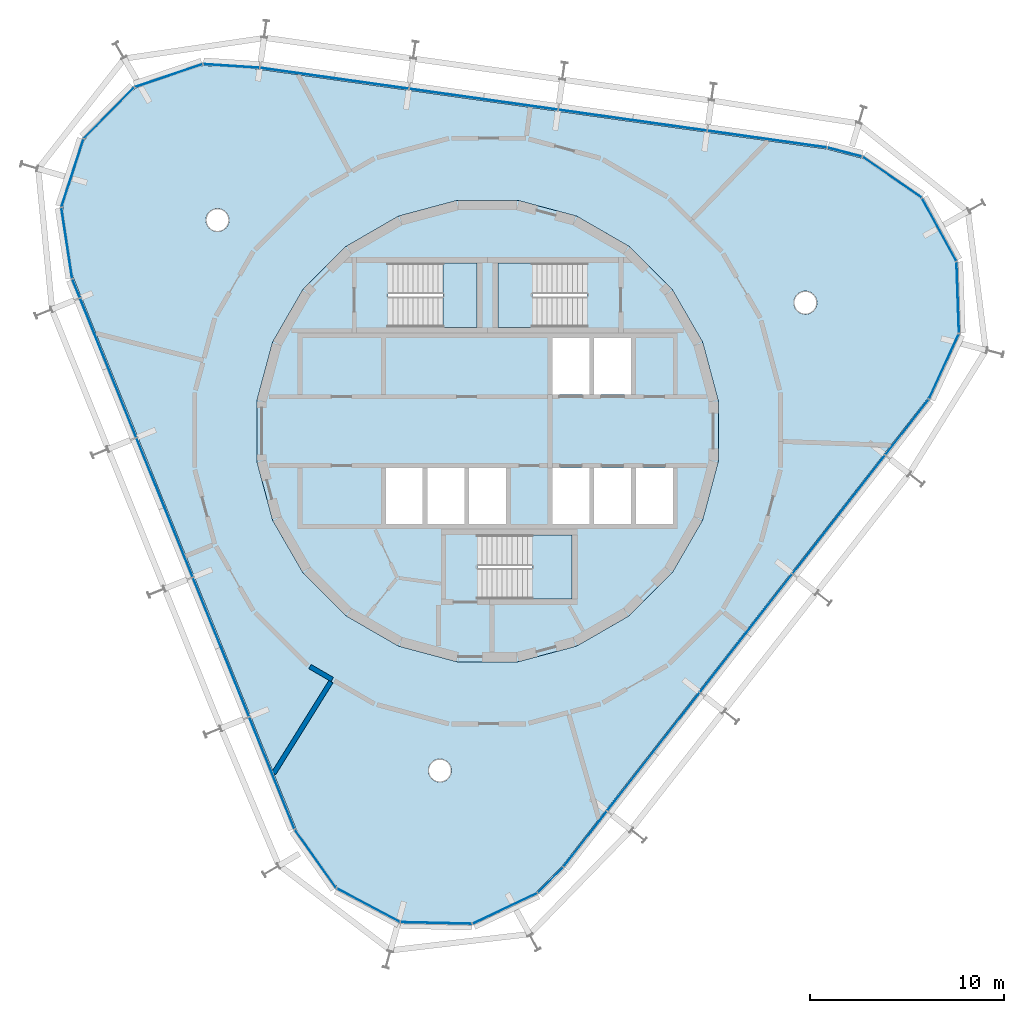
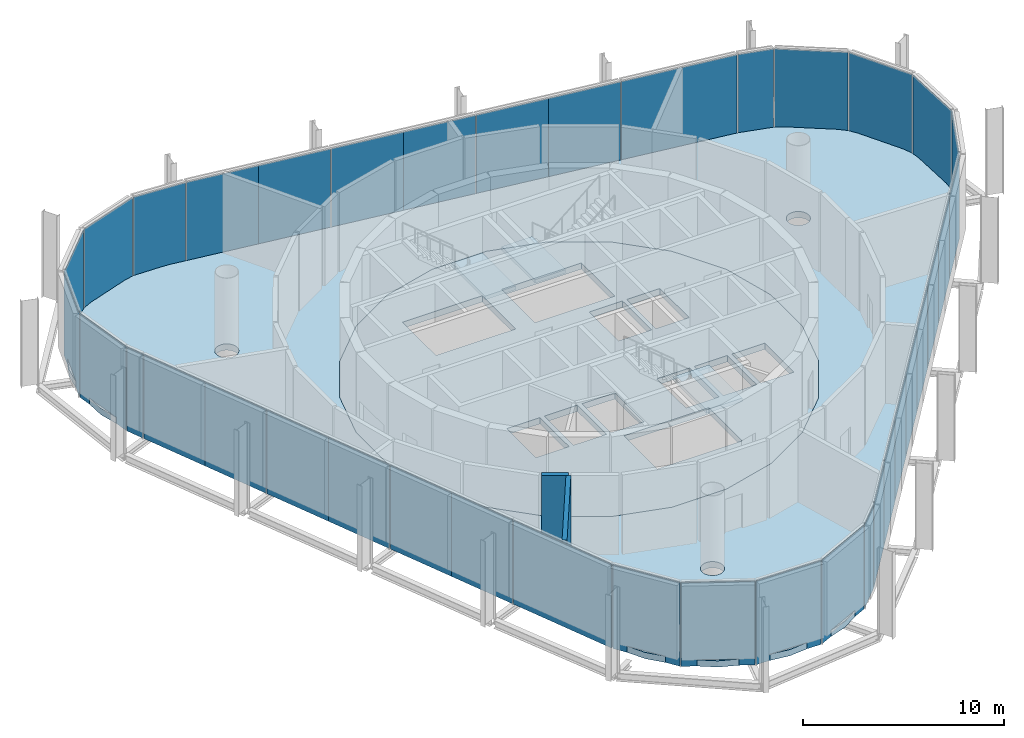
# One storey, part 8 of 12: 38 plates, 5 slabs, 2 walls, 9 elements without a shape of their own.
"""IFC4 building model written with IfcOpenShell, lengths in metres."""

from ifc_helpers import new_model, si_unit, direction, frame, frame_2d, origin, origin_2d, place, context, subcontext, project, spatial, polyline, rectangle, outline, extrude, material, layer, layer_set, type_object, element, aggregate, save


model = new_model("IFC4")

# Units and contexts
model_context = context("Model", 3, precision=1e-05, world=origin(), true_north=direction((0.0, 1.0)))
body_context = subcontext(model_context, "Body", "Model", "MODEL_VIEW")
ifc_project = project(units=[si_unit("LENGTHUNIT", "METRE"), si_unit("AREAUNIT", "SQUARE_METRE"), si_unit("VOLUMEUNIT", "CUBIC_METRE"), si_unit("PLANEANGLEUNIT", "RADIAN"), si_unit("MASSUNIT", "GRAM", prefix="KILO")], contexts=[model_context])

# Site, building, storey
site_placement = place(None, origin())
site = spatial("IfcSite", under=ifc_project, at=site_placement, CompositionType="ELEMENT")
building_placement = place(site_placement, origin())
building = spatial("IfcBuilding", under=site, at=building_placement, Name="Spindle Arch Residences", CompositionType="ELEMENT")
storey_placement = place(building_placement, frame((0.0, 0.0, 361.0)))
storey = spatial("IfcBuildingStorey", under=building, at=storey_placement, Name="L93", CompositionType="ELEMENT", Elevation=361.0)

# Slab
ifc_material_1 = material(Name="Concrete C50/60", Category="concrete")
ifc_layer_1 = layer(ifc_material_1, 0.3798828125)
ifc_layer_set_1 = layer_set([ifc_layer_1], Name="Core floor slab 380")
slab_type_1 = type_object("IfcSlabType", Name="Core floor slab 380", PredefinedType="FLOOR", material=ifc_layer_set_1)
slab_1_placement = place(storey_placement, frame((0.0, 0.0, -0.3798828125)))
element("IfcSlab", 1, at=slab_1_placement, inside=storey, type_object=slab_type_1, Name="Core floor L93", PredefinedType="FLOOR", context=body_context, shape_type="SweptSolid", body=[
    extrude(outline(polyline([(1.56640625, -11.897216796875), (4.59228515625, -11.086669921875), (7.30517578125, -9.520263671875), (9.520263671875, -7.30517578125), (11.086669921875, -4.59228515625), (11.897216796875, -1.56640625), (11.897216796875, 1.56640625), (11.086669921875, 4.59228515625), (9.520263671875, 7.30517578125), (7.30517578125, 9.520263671875), (4.59228515625, 11.086669921875), (1.56640625, 11.897216796875), (-1.56640625, 11.897216796875), (-4.59228515625, 11.086669921875), (-7.30517578125, 9.520263671875), (-9.520263671875, 7.30517578125), (-11.086669921875, 4.59228515625), (-11.897216796875, 1.56640625), (-11.897216796875, -1.56640625), (-11.086669921875, -4.59228515625), (-9.520263671875, -7.30517578125), (-7.30517578125, -9.520263671875), (-4.59228515625, -11.086669921875), (-1.56640625, -11.897216796875), (1.56640625, -11.897216796875)]), holes=[polyline([(3.35009765625, 1.89990234375), (5.25, 1.89990234375), (5.25, 4.800048828125), (3.35009765625, 4.800048828125), (3.35009765625, 1.89990234375)]), polyline([(5.5, 1.89990234375), (7.39990234375, 1.89990234375), (7.39990234375, 4.800048828125), (5.5, 4.800048828125), (5.5, 1.89990234375)]), polyline([(-5.25, -4.800048828125), (-3.35009765625, -4.800048828125), (-3.35009765625, -1.89990234375), (-5.25, -1.89990234375), (-5.25, -4.800048828125)]), polyline([(-3.10009765625, -4.800048828125), (-1.199951171875, -4.800048828125), (-1.199951171875, -1.89990234375), (-3.10009765625, -1.89990234375), (-3.10009765625, -4.800048828125)]), polyline([(-0.949951171875, -4.800048828125), (0.949951171875, -4.800048828125), (0.949951171875, -1.89990234375), (-0.949951171875, -1.89990234375), (-0.949951171875, -4.800048828125)]), polyline([(3.35009765625, -4.800048828125), (5.25, -4.800048828125), (5.25, -1.89990234375), (3.35009765625, -1.89990234375), (3.35009765625, -4.800048828125)]), polyline([(5.5, -4.800048828125), (7.39990234375, -4.800048828125), (7.39990234375, -1.89990234375), (5.5, -1.89990234375), (5.5, -4.800048828125)]), polyline([(7.64990234375, -4.800048828125), (9.550048828125, -4.800048828125), (9.550048828125, -1.89990234375), (7.64990234375, -1.89990234375), (7.64990234375, -4.800048828125)]), polyline([(5.1298828125, 8.669921875), (0.550048828125, 8.669921875), (0.550048828125, 5.35009765625), (5.1298828125, 5.35009765625), (5.1298828125, 8.669921875)]), polyline([(-5.1298828125, 5.35009765625), (-0.550048828125, 5.35009765625), (-0.550048828125, 8.669921875), (-5.1298828125, 8.669921875), (-5.1298828125, 5.35009765625)]), polyline([(-0.530029296875, -8.669921875), (4.35009765625, -8.669921875), (4.35009765625, -5.35009765625), (-0.530029296875, -5.35009765625), (-0.530029296875, -8.669921875)])]), origin(), (0.0, 0.0, 1.0), 0.3798828125),
])

# Stair, slab
ifc_material_2 = material(Name="Concrete C50/60", Category="concrete")
stair_type = type_object("IfcStairType", Name="Exit stair 24 risers", PredefinedType="HALF_TURN_STAIR", material=ifc_material_2)
stair_1_placement = place(storey_placement, origin())
stair_1 = element("IfcStair", 2, at=stair_1_placement, inside=storey, type_object=stair_type, Name="L93 Exit stair ST1", PredefinedType="HALF_TURN_STAIR")
ifc_material_3 = material(Name="Concrete C50/60", Category="concrete")
ifc_layer_2 = layer(ifc_material_3, 0.219970703125)
ifc_layer_set_2 = layer_set([ifc_layer_2], Name="Exit stair landing 220")
slab_type_2 = type_object("IfcSlabType", Name="Exit stair landing 220", PredefinedType="LANDING", material=ifc_layer_set_2)
slab_2_placement = place(storey_placement, frame((0.0, 0.0, 2.3798828125)))
slab_2 = element("IfcSlab", 3, at=slab_2_placement, type_object=slab_type_2, Name="ST1 landing 1", PredefinedType="LANDING", context=body_context, shape_type="SweptSolid", body=[
    extrude(outline(polyline([(2.31005859375, 8.669921875), (0.550048828125, 8.669921875), (0.550048828125, 5.35009765625), (2.31005859375, 5.35009765625), (2.31005859375, 8.669921875)])), origin(), (0.0, 0.0, 1.0), 0.22021484375),
])
aggregate(stair_1, [slab_2])

stair_2_placement = place(storey_placement, origin())
stair_2 = element("IfcStair", 4, at=stair_2_placement, inside=storey, type_object=stair_type, Name="L93 Exit stair ST2", PredefinedType="HALF_TURN_STAIR")
slab_3_placement = place(storey_placement, frame((0.0, 0.0, 2.3798828125)))
slab_3 = element("IfcSlab", 5, at=slab_3_placement, type_object=slab_type_2, Name="ST2 landing 1", PredefinedType="LANDING", context=body_context, shape_type="SweptSolid", body=[
    extrude(outline(polyline([(-2.31005859375, 5.35009765625), (-0.550048828125, 5.35009765625), (-0.550048828125, 8.669921875), (-2.31005859375, 8.669921875), (-2.31005859375, 5.35009765625)])), origin(), (0.0, 0.0, 1.0), 0.22021484375),
])
aggregate(stair_2, [slab_3])

stair_3_placement = place(storey_placement, origin())
stair_3 = element("IfcStair", 6, at=stair_3_placement, inside=storey, type_object=stair_type, Name="L93 Exit stair ST3", PredefinedType="HALF_TURN_STAIR")
slab_4_placement = place(storey_placement, frame((0.0, 0.0, 2.3798828125)))
slab_4 = element("IfcSlab", 7, at=slab_4_placement, type_object=slab_type_2, Name="ST3 landing 1", PredefinedType="LANDING", context=body_context, shape_type="SweptSolid", body=[
    extrude(outline(polyline([(2.2900390625, -8.669921875), (4.35009765625, -8.669921875), (4.35009765625, -5.35009765625), (2.2900390625, -5.35009765625), (2.2900390625, -8.669921875)])), origin(), (0.0, 0.0, 1.0), 0.22021484375),
])
aggregate(stair_3, [slab_4])

# Slab
ifc_material_4 = material(Name="Concrete C40/50", Category="concrete")
ifc_layer_3 = layer(ifc_material_4, 0.3798828125)
ifc_layer_set_3 = layer_set([ifc_layer_3], Name="Floor slab 380")
slab_type_3 = type_object("IfcSlabType", Name="Floor slab 380", PredefinedType="FLOOR", material=ifc_layer_set_3)
slab_5_placement = place(storey_placement, frame((0.0, 0.0, -0.3798828125)))
element("IfcSlab", 8, at=slab_5_placement, inside=storey, type_object=slab_type_3, Name="Floor slab L93", PredefinedType="FLOOR", context=body_context, shape_type="SweptSolid", body=[
    extrude(outline(polyline([(2.5380859375, -23.751220703125), (0.962890625, -24.735595703125), (-0.796875, -25.330078125), (-2.646240234375, -25.502685546875), (-4.485595703125, -25.244140625), (-6.2158203125, -24.568359375), (-7.74365234375, -23.511962890625), (-8.986572265625, -22.131591796875), (-9.877685546875, -20.501708984375), (-21.346923828125, 7.885986328125), (-21.838134765625, 9.677490234375), (-21.903076171875, 11.53369140625), (-21.5380859375, 13.35498046875), (-20.7626953125, 15.043212890625), (-19.619140625, 16.5068359375), (-18.1689453125, 17.667236328125), (-16.489990234375, 18.462158203125), (-14.673095703125, 18.848388671875), (-12.816162109375, 18.80517578125), (17.503173828125, 14.5439453125), (19.300048828125, 14.07373046875), (20.940185546875, 13.20166015625), (22.334716796875, 11.974853515625), (23.4091796875, 10.459716796875), (24.10498046875, 8.7373046875), (24.384765625, 6.901123046875), (24.233642578125, 5.0498046875), (23.65966796875, 3.283203125), (22.69384765625, 1.696533203125), (13.268798828125, -10.36669921875), (3.843994140625, -22.43017578125), (2.5380859375, -23.751220703125)]), holes=[polyline([(7.30517578125, -9.520263671875), (9.520263671875, -7.30517578125), (11.086669921875, -4.59228515625), (11.897216796875, -1.56640625), (11.897216796875, 1.56640625), (11.086669921875, 4.59228515625), (9.520263671875, 7.30517578125), (7.30517578125, 9.520263671875), (4.59228515625, 11.086669921875), (1.56640625, 11.897216796875), (-1.56640625, 11.897216796875), (-4.59228515625, 11.086669921875), (-7.30517578125, 9.520263671875), (-9.520263671875, 7.30517578125), (-11.086669921875, 4.59228515625), (-11.897216796875, 1.56640625), (-11.897216796875, -1.56640625), (-11.086669921875, -4.59228515625), (-9.520263671875, -7.30517578125), (-7.30517578125, -9.520263671875), (-4.59228515625, -11.086669921875), (-1.56640625, -11.897216796875), (1.56640625, -11.897216796875), (4.59228515625, -11.086669921875), (7.30517578125, -9.520263671875)]), polyline([(-1.961181640625, -17.838134765625), (-1.90576171875, -17.734375), (-1.87158203125, -17.621826171875), (-1.860107421875, -17.5048828125), (-1.87158203125, -17.3876953125), (-1.90576171875, -17.275146484375), (-1.961181640625, -17.17138671875), (-2.035888671875, -17.08056640625), (-2.126708984375, -17.005859375), (-2.23046875, -16.950439453125), (-2.343017578125, -16.916259765625), (-2.460205078125, -16.90478515625), (-2.5771484375, -16.916259765625), (-2.689697265625, -16.950439453125), (-2.79345703125, -17.005859375), (-2.884521484375, -17.08056640625), (-2.958984375, -17.17138671875), (-3.014404296875, -17.275146484375), (-3.048583984375, -17.3876953125), (-3.06005859375, -17.5048828125), (-3.048583984375, -17.621826171875), (-3.014404296875, -17.734375), (-2.958984375, -17.838134765625), (-2.884521484375, -17.92919921875), (-2.79345703125, -18.003662109375), (-2.689697265625, -18.05908203125), (-2.5771484375, -18.09326171875), (-2.460205078125, -18.104736328125), (-2.343017578125, -18.09326171875), (-2.23046875, -18.05908203125), (-2.126708984375, -18.003662109375), (-2.035888671875, -17.92919921875), (-1.961181640625, -17.838134765625)]), polyline([(-13.505126953125, 10.458740234375), (-13.4306640625, 10.5498046875), (-13.375244140625, 10.6533203125), (-13.341064453125, 10.765869140625), (-13.32958984375, 10.883056640625), (-13.341064453125, 11.0), (-13.375244140625, 11.112548828125), (-13.4306640625, 11.21630859375), (-13.505126953125, 11.307373046875), (-13.59619140625, 11.3818359375), (-13.699951171875, 11.437255859375), (-13.8125, 11.471435546875), (-13.929443359375, 11.48291015625), (-14.046630859375, 11.471435546875), (-14.1591796875, 11.437255859375), (-14.2626953125, 11.3818359375), (-14.353759765625, 11.307373046875), (-14.428466796875, 11.21630859375), (-14.48388671875, 11.112548828125), (-14.51806640625, 11.0), (-14.529541015625, 10.883056640625), (-14.51806640625, 10.765869140625), (-14.48388671875, 10.6533203125), (-14.428466796875, 10.5498046875), (-14.353759765625, 10.458740234375), (-14.2626953125, 10.384033203125), (-14.1591796875, 10.32861328125), (-14.046630859375, 10.29443359375), (-13.929443359375, 10.282958984375), (-13.8125, 10.29443359375), (-13.699951171875, 10.32861328125), (-13.59619140625, 10.384033203125), (-13.505126953125, 10.458740234375)]), polyline([(16.81396484375, 6.197509765625), (16.888671875, 6.28857421875), (16.944091796875, 6.392333984375), (16.978271484375, 6.5048828125), (16.98974609375, 6.621826171875), (16.978271484375, 6.739013671875), (16.944091796875, 6.8515625), (16.888671875, 6.955078125), (16.81396484375, 7.046142578125), (16.722900390625, 7.120849609375), (16.619384765625, 7.17626953125), (16.5068359375, 7.21044921875), (16.3896484375, 7.221923828125), (16.272705078125, 7.21044921875), (16.16015625, 7.17626953125), (16.056396484375, 7.120849609375), (15.96533203125, 7.046142578125), (15.890869140625, 6.955078125), (15.83544921875, 6.8515625), (15.80126953125, 6.739013671875), (15.789794921875, 6.621826171875), (15.80126953125, 6.5048828125), (15.83544921875, 6.392333984375), (15.890869140625, 6.28857421875), (15.96533203125, 6.197509765625), (16.056396484375, 6.123046875), (16.16015625, 6.067626953125), (16.272705078125, 6.033447265625), (16.3896484375, 6.02197265625), (16.5068359375, 6.033447265625), (16.619384765625, 6.067626953125), (16.722900390625, 6.123046875), (16.81396484375, 6.197509765625)])]), origin(), (0.0, 0.0, 1.0), 0.3798828125),
])

# Curtain wall, plates
ifc_material_5 = material(Name="Aluminium bronze unitised frame with tinted glass", Category="aluminium")
ifc_layer_4 = layer(ifc_material_5, 0.159912109375)
ifc_layer_set_4 = layer_set([ifc_layer_4], Name="CW-F crown plant glazed wall")
curtain_wall_type = type_object("IfcCurtainWallType", Name="CW-F crown plant glazed wall", PredefinedType="NOTDEFINED", material=ifc_layer_set_4)
curtain_wall_1_placement = place(storey_placement, origin())
curtain_wall_1 = element("IfcCurtainWall", 9, at=curtain_wall_1_placement, inside=storey, type_object=curtain_wall_type, Name="CW-F L93 run 1", PredefinedType="NOTDEFINED")
ifc_material_6 = material(Name="Tinted laminated glass 28 mm", Category="glass")
ifc_layer_5 = layer(ifc_material_6, 0.028076171875)
ifc_layer_set_5 = layer_set([ifc_layer_5], Name="Tinted glass panel 28 mm")
plate_type = type_object("IfcPlateType", Name="Tinted glass panel 28 mm", PredefinedType="CURTAIN_PANEL", material=ifc_layer_set_5)
plate_1_placement = place(storey_placement, frame((21.630126953125, 0.205078125, -0.380126953125), z_axis=(0.0, 0.0, 1.0), x_axis=(0.615661475326, 0.788010753607, 0.0)))
plate_1 = element("IfcPlate", 10, at=plate_1_placement, type_object=plate_type, Name="CW-F unit 00", PredefinedType="CURTAIN_PANEL", context=body_context, shape_type="SweptSolid", body=[
    extrude(rectangle(XDim=3.60009765625, YDim=0.028076171875, at=origin_2d()), origin(), (0.0, 0.0, 1.0), 5.080078125),
])
plate_2_placement = place(storey_placement, frame((23.534423828125, 3.340576171875, -0.380126953125), z_axis=(0.0, 0.0, 1.0), x_axis=(0.417338452362, 0.908751129947, 0.0)))
plate_2 = element("IfcPlate", 11, at=plate_2_placement, type_object=plate_type, Name="CW-F unit 01", PredefinedType="CURTAIN_PANEL", context=body_context, shape_type="SweptSolid", body=[
    extrude(rectangle(XDim=3.666748046875, YDim=0.028076171875, at=origin_2d()), origin(), (0.0, 0.0, 1.0), 5.080078125),
])
plate_3_placement = place(storey_placement, frame((24.2470703125, 6.896240234375, -0.380126953125), z_axis=(0.0, 0.0, 1.0), x_axis=(-0.034899497139, 0.999390827004, 0.0)))
plate_3 = element("IfcPlate", 12, at=plate_3_placement, type_object=plate_type, Name="CW-F unit 02", PredefinedType="CURTAIN_PANEL", context=body_context, shape_type="SweptSolid", body=[
    extrude(rectangle(XDim=3.666748046875, YDim=0.028076171875, at=origin_2d()), origin(), (0.0, 0.0, 1.0), 5.080078125),
])
plate_4_placement = place(storey_placement, frame((23.2880859375, 10.3935546875, -0.380126953125), z_axis=(0.0, 0.0, 1.0), x_axis=(-0.479713114021, 0.877425397533, 0.0)))
plate_4 = element("IfcPlate", 13, at=plate_4_placement, type_object=plate_type, Name="CW-F unit 03", PredefinedType="CURTAIN_PANEL", context=body_context, shape_type="SweptSolid", body=[
    extrude(rectangle(XDim=3.666748046875, YDim=0.028076171875, at=origin_2d()), origin(), (0.0, 0.0, 1.0), 5.080078125),
])
plate_5_placement = place(storey_placement, frame((20.86181640625, 13.08837890625, -0.380126953125), z_axis=(0.0, 0.0, 1.0), x_axis=(-0.822475094841, 0.568801123739, 0.0)))
plate_5 = element("IfcPlate", 14, at=plate_5_placement, type_object=plate_type, Name="CW-F unit 04", PredefinedType="CURTAIN_PANEL", context=body_context, shape_type="SweptSolid", body=[
    extrude(rectangle(XDim=3.666748046875, YDim=0.028076171875, at=origin_2d()), origin(), (0.0, 0.0, 1.0), 5.080078125),
])
plate_6_placement = place(storey_placement, frame((18.421630859375, 14.3857421875, -0.380126953125), z_axis=(0.0, 0.0, 1.0), x_axis=(-0.967415218326, 0.25319517245, 0.0)))
plate_6 = element("IfcPlate", 15, at=plate_6_placement, type_object=plate_type, Name="CW-F unit 05", PredefinedType="CURTAIN_PANEL", context=body_context, shape_type="SweptSolid", body=[
    extrude(rectangle(XDim=1.816162109375, YDim=0.028076171875, at=origin_2d()), origin(), (0.0, 0.0, 1.0), 5.080078125),
])
plate_7_placement = place(storey_placement, frame((14.420166015625, 15.05810546875, -0.380126953125), z_axis=(0.0, 0.0, 1.0), x_axis=(-0.990268068742, 0.13917310096, 0.0)))
plate_7 = element("IfcPlate", 16, at=plate_7_placement, type_object=plate_type, Name="CW-F unit 06", PredefinedType="CURTAIN_PANEL", context=body_context, shape_type="SweptSolid", body=[
    extrude(rectangle(XDim=6.188720703125, YDim=0.028076171875, at=origin_2d()), origin(), (0.0, 0.0, 1.0), 5.080078125),
])
aggregate(curtain_wall_1, [plate_1, plate_2, plate_3, plate_4, plate_5, plate_6, plate_7])

curtain_wall_2_placement = place(storey_placement, origin())
curtain_wall_2 = element("IfcCurtainWall", 17, at=curtain_wall_2_placement, inside=storey, type_object=curtain_wall_type, Name="CW-F L93 run 2", PredefinedType="NOTDEFINED")
plate_8_placement = place(storey_placement, frame((9.388916015625, 15.76513671875, -0.380126953125), z_axis=(0.0, 0.0, 1.0), x_axis=(-0.990268068742, 0.13917310096, 0.0)))
plate_8 = element("IfcPlate", 18, at=plate_8_placement, type_object=plate_type, Name="CW-F unit 05A", PredefinedType="CURTAIN_PANEL", context=body_context, shape_type="SweptSolid", body=[
    extrude(rectangle(XDim=3.852783203125, YDim=0.028076171875, at=origin_2d()), origin(), (0.0, 0.0, 1.0), 5.080078125),
])
plate_9_placement = place(storey_placement, frame((5.57373046875, 16.30126953125, -0.380126953125), z_axis=(0.0, 0.0, 1.0), x_axis=(-0.990268068742, 0.13917310096, 0.0)))
plate_9 = element("IfcPlate", 19, at=plate_9_placement, type_object=plate_type, Name="CW-F unit 05B", PredefinedType="CURTAIN_PANEL", context=body_context, shape_type="SweptSolid", body=[
    extrude(rectangle(XDim=3.852783203125, YDim=0.028076171875, at=origin_2d()), origin(), (0.0, 0.0, 1.0), 5.080078125),
])
plate_10_placement = place(storey_placement, frame((1.698974609375, 16.845947265625, -0.380126953125), z_axis=(0.0, 0.0, 1.0), x_axis=(-0.990268068742, 0.13917310096, 0.0)))
plate_10 = element("IfcPlate", 20, at=plate_10_placement, type_object=plate_type, Name="CW-F unit 06A", PredefinedType="CURTAIN_PANEL", context=body_context, shape_type="SweptSolid", body=[
    extrude(rectangle(XDim=3.852783203125, YDim=0.028076171875, at=origin_2d()), origin(), (0.0, 0.0, 1.0), 5.080078125),
])
plate_11_placement = place(storey_placement, frame((-2.116455078125, 17.382080078125, -0.380126953125), z_axis=(0.0, 0.0, 1.0), x_axis=(-0.990268068742, 0.13917310096, 0.0)))
plate_11 = element("IfcPlate", 21, at=plate_11_placement, type_object=plate_type, Name="CW-F unit 06B", PredefinedType="CURTAIN_PANEL", context=body_context, shape_type="SweptSolid", body=[
    extrude(rectangle(XDim=3.852783203125, YDim=0.028076171875, at=origin_2d()), origin(), (0.0, 0.0, 1.0), 5.080078125),
])
plate_12_placement = place(storey_placement, frame((-5.9912109375, 17.9267578125, -0.380126953125), z_axis=(0.0, 0.0, 1.0), x_axis=(-0.990268068742, 0.13917310096, 0.0)))
plate_12 = element("IfcPlate", 22, at=plate_12_placement, type_object=plate_type, Name="CW-F unit 07A", PredefinedType="CURTAIN_PANEL", context=body_context, shape_type="SweptSolid", body=[
    extrude(rectangle(XDim=3.852783203125, YDim=0.028076171875, at=origin_2d()), origin(), (0.0, 0.0, 1.0), 5.080078125),
])
plate_13_placement = place(storey_placement, frame((-9.806396484375, 18.462890625, -0.380126953125), z_axis=(0.0, 0.0, 1.0), x_axis=(-0.990268068742, 0.13917310096, 0.0)))
plate_13 = element("IfcPlate", 23, at=plate_13_placement, type_object=plate_type, Name="CW-F unit 07B", PredefinedType="CURTAIN_PANEL", context=body_context, shape_type="SweptSolid", body=[
    extrude(rectangle(XDim=3.852783203125, YDim=0.028076171875, at=origin_2d()), origin(), (0.0, 0.0, 1.0), 5.080078125),
])
aggregate(curtain_wall_2, [plate_8, plate_9, plate_10, plate_11, plate_12, plate_13])

curtain_wall_3_placement = place(storey_placement, origin())
curtain_wall_3 = element("IfcCurtainWall", 24, at=curtain_wall_3_placement, inside=storey, type_object=curtain_wall_type, Name="CW-F L93 run 3", PredefinedType="NOTDEFINED")
plate_14_placement = place(storey_placement, frame((-13.212158203125, 18.83154296875, -0.380126953125), z_axis=(0.0, 0.0, 1.0), x_axis=(-0.99785193122, 0.065509719587, 0.0)))
plate_14 = element("IfcPlate", 25, at=plate_14_placement, type_object=plate_type, Name="CW-F unit 00", PredefinedType="CURTAIN_PANEL", context=body_context, shape_type="SweptSolid", body=[
    extrude(rectangle(XDim=2.883056640625, YDim=0.028076171875, at=origin_2d()), origin(), (0.0, 0.0, 1.0), 5.080078125),
])
plate_15_placement = place(storey_placement, frame((-16.446044921875, 18.33154296875, -0.380126953125), z_axis=(0.0, 0.0, 1.0), x_axis=(-0.947396640541, -0.320061877599, 0.0)))
plate_15 = element("IfcPlate", 26, at=plate_15_placement, type_object=plate_type, Name="CW-F unit 01", PredefinedType="CURTAIN_PANEL", context=body_context, shape_type="SweptSolid", body=[
    extrude(rectangle(XDim=3.666748046875, YDim=0.028076171875, at=origin_2d()), origin(), (0.0, 0.0, 1.0), 5.080078125),
])
plate_16_placement = place(storey_placement, frame((-19.521240234375, 16.409912109375, -0.380126953125), z_axis=(0.0, 0.0, 1.0), x_axis=(-0.702981055369, -0.711208574043, 0.0)))
plate_16 = element("IfcPlate", 27, at=plate_16_placement, type_object=plate_type, Name="CW-F unit 02", PredefinedType="CURTAIN_PANEL", context=body_context, shape_type="SweptSolid", body=[
    extrude(rectangle(XDim=3.666748046875, YDim=0.028076171875, at=origin_2d()), origin(), (0.0, 0.0, 1.0), 5.080078125),
])
plate_17_placement = place(storey_placement, frame((-21.406982421875, 13.3125, -0.380126953125), z_axis=(0.0, 0.0, 1.0), x_axis=(-0.309016990673, -0.951056517498, 0.0)))
plate_17 = element("IfcPlate", 28, at=plate_17_placement, type_object=plate_type, Name="CW-F unit 03", PredefinedType="CURTAIN_PANEL", context=body_context, shape_type="SweptSolid", body=[
    extrude(rectangle(XDim=3.666748046875, YDim=0.028076171875, at=origin_2d()), origin(), (0.0, 0.0, 1.0), 5.080078125),
])
plate_18_placement = place(storey_placement, frame((-21.701904296875, 9.6982421875, -0.380126953125), z_axis=(0.0, 0.0, 1.0), x_axis=(0.150685718984, -0.988581718471, 0.0)))
plate_18 = element("IfcPlate", 29, at=plate_18_placement, type_object=plate_type, Name="CW-F unit 04", PredefinedType="CURTAIN_PANEL", context=body_context, shape_type="SweptSolid", body=[
    extrude(rectangle(XDim=3.666748046875, YDim=0.028076171875, at=origin_2d()), origin(), (0.0, 0.0, 1.0), 5.080078125),
])
plate_19_placement = place(storey_placement, frame((-21.220458984375, 7.359375, -0.380126953125), z_axis=(0.0, 0.0, 1.0), x_axis=(0.374606593416, -0.927183854567, 0.0)))
plate_19 = element("IfcPlate", 30, at=plate_19_placement, type_object=plate_type, Name="CW-F unit 05", PredefinedType="CURTAIN_PANEL", context=body_context, shape_type="SweptSolid", body=[
    extrude(rectangle(XDim=1.01171875, YDim=0.028076171875, at=origin_2d()), origin(), (0.0, 0.0, 1.0), 5.080078125),
])
aggregate(curtain_wall_3, [plate_14, plate_15, plate_16, plate_17, plate_18, plate_19])

curtain_wall_4_placement = place(storey_placement, origin())
curtain_wall_4 = element("IfcCurtainWall", 31, at=curtain_wall_4_placement, inside=storey, type_object=curtain_wall_type, Name="CW-F L93 run 4", PredefinedType="NOTDEFINED")
plate_20_placement = place(storey_placement, frame((-20.286865234375, 5.048583984375, -0.380126953125), z_axis=(0.0, 0.0, 1.0), x_axis=(0.374606593416, -0.927183854567, 0.0)))
plate_20 = element("IfcPlate", 32, at=plate_20_placement, type_object=plate_type, Name="CW-F unit 11A", PredefinedType="CURTAIN_PANEL", context=body_context, shape_type="SweptSolid", body=[
    extrude(rectangle(XDim=3.852783203125, YDim=0.028076171875, at=origin_2d()), origin(), (0.0, 0.0, 1.0), 5.080078125),
])
plate_21_placement = place(storey_placement, frame((-18.843505859375, 1.476318359375, -0.380126953125), z_axis=(0.0, 0.0, 1.0), x_axis=(0.374606593416, -0.927183854567, 0.0)))
plate_21 = element("IfcPlate", 33, at=plate_21_placement, type_object=plate_type, Name="CW-F unit 11B", PredefinedType="CURTAIN_PANEL", context=body_context, shape_type="SweptSolid", body=[
    extrude(rectangle(XDim=3.852783203125, YDim=0.028076171875, at=origin_2d()), origin(), (0.0, 0.0, 1.0), 5.080078125),
])
plate_22_placement = place(storey_placement, frame((-17.377685546875, -2.151611328125, -0.380126953125), z_axis=(0.0, 0.0, 1.0), x_axis=(0.374606593416, -0.927183854567, 0.0)))
plate_22 = element("IfcPlate", 34, at=plate_22_placement, type_object=plate_type, Name="CW-F unit 12A", PredefinedType="CURTAIN_PANEL", context=body_context, shape_type="SweptSolid", body=[
    extrude(rectangle(XDim=3.852783203125, YDim=0.028076171875, at=origin_2d()), origin(), (0.0, 0.0, 1.0), 5.080078125),
])
plate_23_placement = place(storey_placement, frame((-15.9345703125, -5.723876953125, -0.380126953125), z_axis=(0.0, 0.0, 1.0), x_axis=(0.374606593416, -0.927183854567, 0.0)))
plate_23 = element("IfcPlate", 35, at=plate_23_placement, type_object=plate_type, Name="CW-F unit 12B", PredefinedType="CURTAIN_PANEL", context=body_context, shape_type="SweptSolid", body=[
    extrude(rectangle(XDim=3.852783203125, YDim=0.028076171875, at=origin_2d()), origin(), (0.0, 0.0, 1.0), 5.080078125),
])
plate_24_placement = place(storey_placement, frame((-14.46875, -9.351806640625, -0.380126953125), z_axis=(0.0, 0.0, 1.0), x_axis=(0.374606593416, -0.927183854567, 0.0)))
plate_24 = element("IfcPlate", 36, at=plate_24_placement, type_object=plate_type, Name="CW-F unit 13A", PredefinedType="CURTAIN_PANEL", context=body_context, shape_type="SweptSolid", body=[
    extrude(rectangle(XDim=3.852783203125, YDim=0.028076171875, at=origin_2d()), origin(), (0.0, 0.0, 1.0), 5.080078125),
])
plate_25_placement = place(storey_placement, frame((-13.025390625, -12.924072265625, -0.380126953125), z_axis=(0.0, 0.0, 1.0), x_axis=(0.374606593416, -0.927183854567, 0.0)))
plate_25 = element("IfcPlate", 37, at=plate_25_placement, type_object=plate_type, Name="CW-F unit 13B", PredefinedType="CURTAIN_PANEL", context=body_context, shape_type="SweptSolid", body=[
    extrude(rectangle(XDim=3.852783203125, YDim=0.028076171875, at=origin_2d()), origin(), (0.0, 0.0, 1.0), 5.080078125),
])
aggregate(curtain_wall_4, [plate_20, plate_21, plate_22, plate_23, plate_24, plate_25])

curtain_wall_5_placement = place(storey_placement, origin())
curtain_wall_5 = element("IfcCurtainWall", 38, at=curtain_wall_5_placement, inside=storey, type_object=curtain_wall_type, Name="CW-F L93 run 5", PredefinedType="NOTDEFINED")
plate_26_placement = place(storey_placement, frame((-11.122314453125, -17.634765625, -0.380126953125), z_axis=(0.0, 0.0, 1.0), x_axis=(0.374606593416, -0.927183854567, 0.0)))
plate_26 = element("IfcPlate", 39, at=plate_26_placement, type_object=plate_type, Name="CW-F unit 00", PredefinedType="CURTAIN_PANEL", context=body_context, shape_type="SweptSolid", body=[
    extrude(rectangle(XDim=6.188720703125, YDim=0.028076171875, at=origin_2d()), origin(), (0.0, 0.0, 1.0), 5.080078125),
])
plate_27_placement = place(storey_placement, frame((-8.8740234375, -22.0517578125, -0.380126953125), z_axis=(0.0, 0.0, 1.0), x_axis=(0.578332338584, -0.815801266332, 0.0)))
plate_27 = element("IfcPlate", 40, at=plate_27_placement, type_object=plate_type, Name="CW-F unit 01", PredefinedType="CURTAIN_PANEL", context=body_context, shape_type="SweptSolid", body=[
    extrude(rectangle(XDim=3.666748046875, YDim=0.028076171875, at=origin_2d()), origin(), (0.0, 0.0, 1.0), 5.080078125),
])
plate_28_placement = place(storey_placement, frame((-6.151123046875, -24.44677734375, -0.380126953125), z_axis=(0.0, 0.0, 1.0), x_axis=(0.882947592408, -0.469471563633, 0.0)))
plate_28 = element("IfcPlate", 41, at=plate_28_placement, type_object=plate_type, Name="CW-F unit 02", PredefinedType="CURTAIN_PANEL", context=body_context, shape_type="SweptSolid", body=[
    extrude(rectangle(XDim=3.666748046875, YDim=0.028076171875, at=origin_2d()), origin(), (0.0, 0.0, 1.0), 5.080078125),
])
plate_29_placement = place(storey_placement, frame((-2.64306640625, -25.364990234375, -0.380126953125), z_axis=(0.0, 0.0, 1.0), x_axis=(0.999729241109, -0.023268959422, 0.0)))
plate_29 = element("IfcPlate", 42, at=plate_29_placement, type_object=plate_type, Name="CW-F unit 03", PredefinedType="CURTAIN_PANEL", context=body_context, shape_type="SweptSolid", body=[
    extrude(rectangle(XDim=3.666748046875, YDim=0.028076171875, at=origin_2d()), origin(), (0.0, 0.0, 1.0), 5.080078125),
])
plate_30_placement = place(storey_placement, frame((0.904052734375, -24.61083984375, -0.380126953125), z_axis=(0.0, 0.0, 1.0), x_axis=(0.903833768547, 0.427883767902, 0.0)))
plate_30 = element("IfcPlate", 43, at=plate_30_placement, type_object=plate_type, Name="CW-F unit 04", PredefinedType="CURTAIN_PANEL", context=body_context, shape_type="SweptSolid", body=[
    extrude(rectangle(XDim=3.666748046875, YDim=0.028076171875, at=origin_2d()), origin(), (0.0, 0.0, 1.0), 5.080078125),
])
plate_31_placement = place(storey_placement, frame((3.24755859375, -23.146484375, -0.380126953125), z_axis=(0.0, 0.0, 1.0), x_axis=(0.702981053644, 0.711208575748, 0.0)))
plate_31 = element("IfcPlate", 44, at=plate_31_placement, type_object=plate_type, Name="CW-F unit 05", PredefinedType="CURTAIN_PANEL", context=body_context, shape_type="SweptSolid", body=[
    extrude(rectangle(XDim=1.816162109375, YDim=0.028076171875, at=origin_2d()), origin(), (0.0, 0.0, 1.0), 5.080078125),
])
plate_32_placement = place(storey_placement, frame((5.03369140625, -21.037109375, -0.380126953125), z_axis=(0.0, 0.0, 1.0), x_axis=(0.615661475326, 0.788010753607, 0.0)))
plate_32 = element("IfcPlate", 45, at=plate_32_placement, type_object=plate_type, Name="CW-F unit 06", PredefinedType="CURTAIN_PANEL", context=body_context, shape_type="SweptSolid", body=[
    extrude(rectangle(XDim=3.60009765625, YDim=0.028076171875, at=origin_2d()), origin(), (0.0, 0.0, 1.0), 5.080078125),
])
aggregate(curtain_wall_5, [plate_26, plate_27, plate_28, plate_29, plate_30, plate_31, plate_32])

curtain_wall_6_placement = place(storey_placement, origin())
curtain_wall_6 = element("IfcCurtainWall", 46, at=curtain_wall_6_placement, inside=storey, type_object=curtain_wall_type, Name="CW-F L93 run 6", PredefinedType="NOTDEFINED")
plate_33_placement = place(storey_placement, frame((7.364990234375, -18.053466796875, -0.380126953125), z_axis=(0.0, 0.0, 1.0), x_axis=(0.615661475326, 0.788010753607, 0.0)))
plate_33 = element("IfcPlate", 47, at=plate_33_placement, type_object=plate_type, Name="CW-F unit 18A", PredefinedType="CURTAIN_PANEL", context=body_context, shape_type="SweptSolid", body=[
    extrude(rectangle(XDim=3.852783203125, YDim=0.028076171875, at=origin_2d()), origin(), (0.0, 0.0, 1.0), 5.080078125),
])
plate_34_placement = place(storey_placement, frame((9.73681640625, -15.017333984375, -0.380126953125), z_axis=(0.0, 0.0, 1.0), x_axis=(0.615661475326, 0.788010753607, 0.0)))
plate_34 = element("IfcPlate", 48, at=plate_34_placement, type_object=plate_type, Name="CW-F unit 18B", PredefinedType="CURTAIN_PANEL", context=body_context, shape_type="SweptSolid", body=[
    extrude(rectangle(XDim=3.852783203125, YDim=0.028076171875, at=origin_2d()), origin(), (0.0, 0.0, 1.0), 5.080078125),
])
plate_35_placement = place(storey_placement, frame((12.14599609375, -11.93408203125, -0.380126953125), z_axis=(0.0, 0.0, 1.0), x_axis=(0.615661475326, 0.788010753607, 0.0)))
plate_35 = element("IfcPlate", 49, at=plate_35_placement, type_object=plate_type, Name="CW-F unit 19A", PredefinedType="CURTAIN_PANEL", context=body_context, shape_type="SweptSolid", body=[
    extrude(rectangle(XDim=3.852783203125, YDim=0.028076171875, at=origin_2d()), origin(), (0.0, 0.0, 1.0), 5.080078125),
])
plate_36_placement = place(storey_placement, frame((14.517822265625, -8.89794921875, -0.380126953125), z_axis=(0.0, 0.0, 1.0), x_axis=(0.615661475326, 0.788010753607, 0.0)))
plate_36 = element("IfcPlate", 50, at=plate_36_placement, type_object=plate_type, Name="CW-F unit 19B", PredefinedType="CURTAIN_PANEL", context=body_context, shape_type="SweptSolid", body=[
    extrude(rectangle(XDim=3.852783203125, YDim=0.028076171875, at=origin_2d()), origin(), (0.0, 0.0, 1.0), 5.080078125),
])
plate_37_placement = place(storey_placement, frame((16.9267578125, -5.814697265625, -0.380126953125), z_axis=(0.0, 0.0, 1.0), x_axis=(0.615661475326, 0.788010753607, 0.0)))
plate_37 = element("IfcPlate", 51, at=plate_37_placement, type_object=plate_type, Name="CW-F unit 00A", PredefinedType="CURTAIN_PANEL", context=body_context, shape_type="SweptSolid", body=[
    extrude(rectangle(XDim=3.852783203125, YDim=0.028076171875, at=origin_2d()), origin(), (0.0, 0.0, 1.0), 5.080078125),
])
plate_38_placement = place(storey_placement, frame((19.298828125, -2.778564453125, -0.380126953125), z_axis=(0.0, 0.0, 1.0), x_axis=(0.615661475326, 0.788010753607, 0.0)))
plate_38 = element("IfcPlate", 52, at=plate_38_placement, type_object=plate_type, Name="CW-F unit 00B", PredefinedType="CURTAIN_PANEL", context=body_context, shape_type="SweptSolid", body=[
    extrude(rectangle(XDim=3.852783203125, YDim=0.028076171875, at=origin_2d()), origin(), (0.0, 0.0, 1.0), 5.080078125),
])
aggregate(curtain_wall_6, [plate_33, plate_34, plate_35, plate_36, plate_37, plate_38])

# Walls
ifc_material_7 = material(Name="Concrete C25/30 wall", Category="concrete")
ifc_layer_6 = layer(ifc_material_7, 0.25)
ifc_layer_set_6 = layer_set([ifc_layer_6], Name="Partition EI 120 250 plant")
wall_type = type_object("IfcWallType", Name="Partition EI 120 250 plant", PredefinedType="PARTITIONING", material=ifc_layer_set_6)
wall_1_placement = place(storey_placement, frame((-9.161865234375, -12.142578125, 0.0), z_axis=(0.0, 0.0, 1.0), x_axis=(0.865225325987, -0.501383221968, 0.0)))
element("IfcWall", 53, at=wall_1_placement, inside=storey, type_object=wall_type, Name="L93-W011", PredefinedType="PARTITIONING", context=body_context, shape_type="SweptSolid", body=[
    extrude(rectangle(XDim=1.331298828125, YDim=0.25, at=frame_2d((0.66552734375, 0.0))), origin(), (0.0, 0.0, 1.0), 4.820068359375),
])
wall_2_placement = place(storey_placement, frame((-8.076171875, -12.916015625, 0.0), z_axis=(0.0, 0.0, 1.0), x_axis=(-0.529377395223, -0.848386452878, 0.0)))
element("IfcWall", 54, at=wall_2_placement, inside=storey, type_object=wall_type, Name="L93-W013", PredefinedType="PARTITIONING", context=body_context, shape_type="SweptSolid", body=[
    extrude(rectangle(XDim=5.579833984375, YDim=0.25, at=frame_2d((2.7900390625, 0.0))), origin(), (0.0, 0.0, 1.0), 4.820068359375),
])

save(model, "model.ifc")
